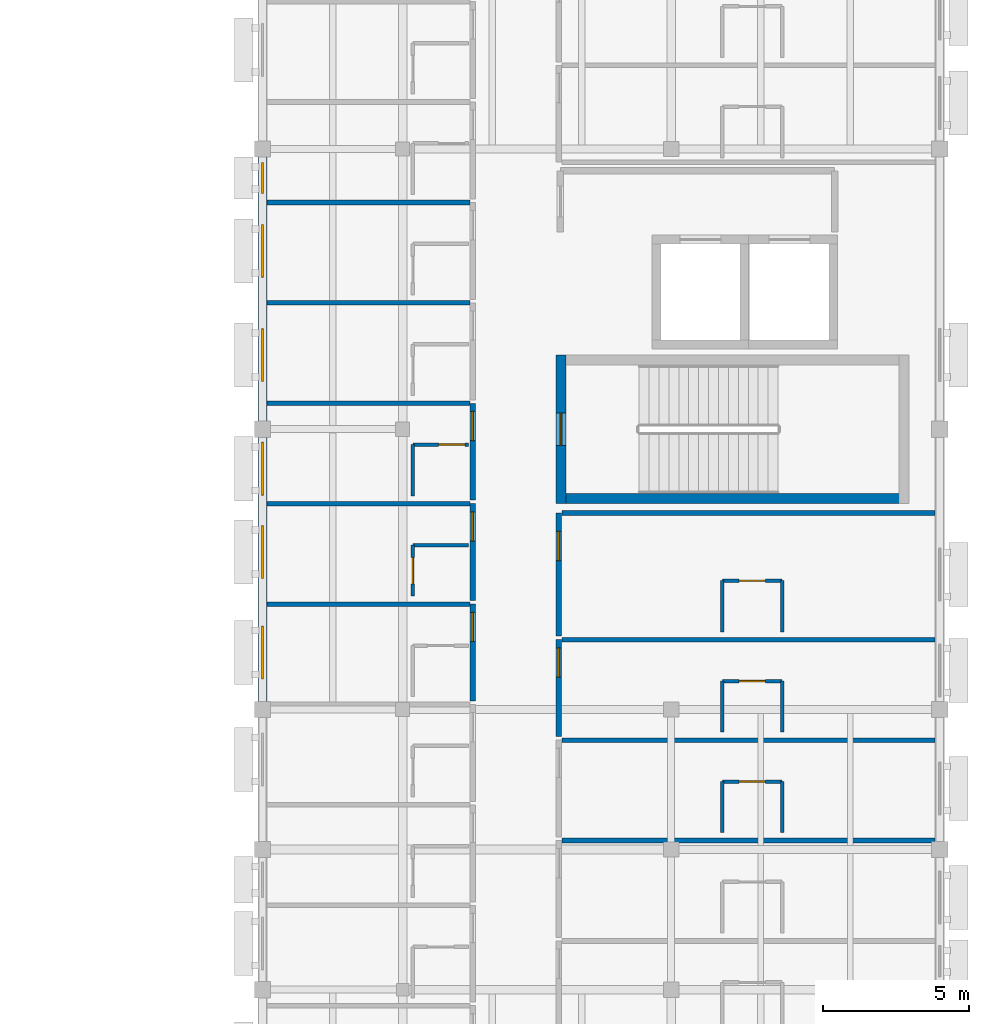
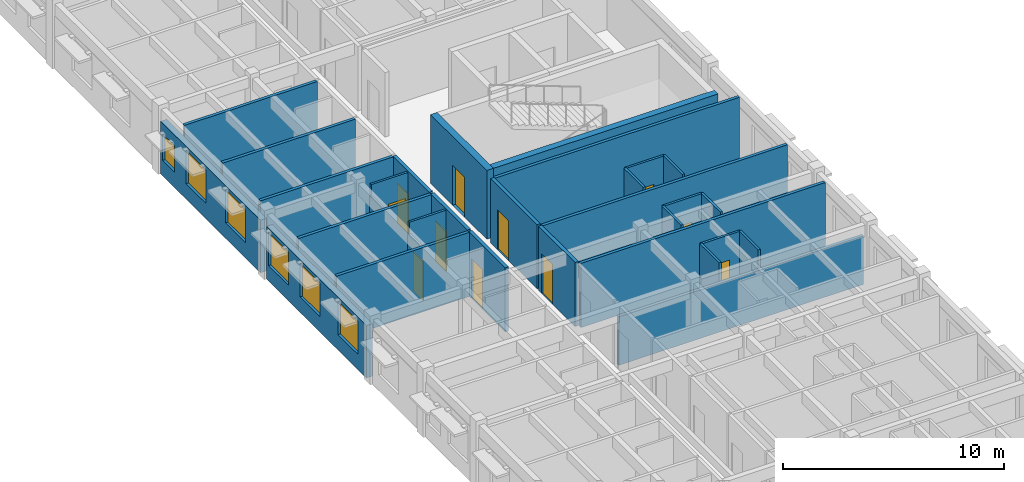
# One storey, part 12 of 31: 31 walls, 11 doors, 6 windows, 17 openings.
"""IFC4 building model written with IfcOpenShell, lengths in metres."""

from ifc_helpers import new_model, si_unit, direction, frame, frame_2d, origin, place, context, subcontext, project, spatial, rectangle, extrude, material, layer, layer_set, type_object, element, fill, save


model = new_model("IFC4")

# Units and contexts
model_context = context("Model", 3, precision=1e-05, world=origin(), true_north=direction((0.0, 1.0)))
body_context = subcontext(model_context, "Body", "Model", "MODEL_VIEW")
ifc_project = project(units=[si_unit("LENGTHUNIT", "METRE"), si_unit("AREAUNIT", "SQUARE_METRE"), si_unit("VOLUMEUNIT", "CUBIC_METRE"), si_unit("PLANEANGLEUNIT", "RADIAN"), si_unit("MASSUNIT", "GRAM", prefix="KILO")], contexts=[model_context])

# Site, building, storey
site_placement = place(None, origin())
site = spatial("IfcSite", under=ifc_project, at=site_placement, CompositionType="ELEMENT")
building_placement = place(site_placement, origin())
building = spatial("IfcBuilding", under=site, at=building_placement, Name="Veldera Park Congress Hotel", CompositionType="ELEMENT")
storey_placement = place(building_placement, frame((0.0, 0.0, 20.0)))
storey = spatial("IfcBuildingStorey", under=building, at=storey_placement, Name="L04", CompositionType="ELEMENT", Elevation=20.0)

# Wall, openings, windows
ifc_material_1 = material(Name="Cross-laminated timber CLT V2M1.1", Category="wood")
ifc_layer_1 = layer(ifc_material_1, 0.320068359375)
ifc_layer_set_1 = layer_set([ifc_layer_1], Name="Cross-laminated timber CLT V2M1.1")
wall_type_1 = type_object("IfcWallType", Name="EW-CLT320", PredefinedType="STANDARD", material=ifc_layer_set_1)
wall_1_placement = place(storey_placement, frame((60.800048828125, 0.322021484375, 0.0), z_axis=(0.0, 0.0, 1.0), x_axis=(0.0, -1.0, 0.0)))
wall_1 = element("IfcWall", 1, at=wall_1_placement, inside=storey, type_object=wall_type_1, Name="L04 Exterior Wall EW3-L04-0270", PredefinedType="STANDARD", context=body_context, shape_type="SweptSolid", body=[
    extrude(rectangle(XDim=9.0439453125, YDim=0.320068359375, at=frame_2d((4.52197265625, 0.0))), origin(), (0.0, 0.0, 1.0), 2.905029296875),
])
opening_1_placement = place(wall_1_placement, frame((5.883056640625, 0.0, 0.85009765625)))
opening_1 = element("IfcOpeningElement", 2, at=opening_1_placement, cuts=wall_1, Name="Opening WIN-1800", PredefinedType="OPENING", context=body_context, shape_type="SweptSolid", body=[
    extrude(rectangle(XDim=1.800048828125, YDim=1.85009765625, at=frame_2d((0.89990234375, 0.925048828125))), frame((0.0, 0.172119140625, 0.0), z_axis=(0.0, -1.0, 0.0), x_axis=(1.0, 0.0, 0.0)), (0.0, 0.0, 1.0), 0.343994140625),
])
opening_2_placement = place(wall_1_placement, frame((2.31201171875, 0.0, 0.85009765625)))
opening_2 = element("IfcOpeningElement", 3, at=opening_2_placement, cuts=wall_1, Name="Opening WIN-1800", PredefinedType="OPENING", context=body_context, shape_type="SweptSolid", body=[
    extrude(rectangle(XDim=1.800048828125, YDim=1.85009765625, at=frame_2d((0.89990234375, 0.925048828125))), frame((0.0, 0.172119140625, 0.0), z_axis=(0.0, -1.0, 0.0), x_axis=(1.0, 0.0, 0.0)), (0.0, 0.0, 1.0), 0.343994140625),
])
opening_3_placement = place(wall_1_placement, frame((0.19091796875, 0.0, 0.85009765625)))
opening_3 = element("IfcOpeningElement", 4, at=opening_3_placement, cuts=wall_1, Name="Opening WIN-1050", PredefinedType="OPENING", context=body_context, shape_type="SweptSolid", body=[
    extrude(rectangle(XDim=1.050048828125, YDim=1.449951171875, at=frame_2d((0.52490234375, 0.72509765625))), frame((0.0, 0.172119140625, 0.0), z_axis=(0.0, -1.0, 0.0), x_axis=(1.0, 0.0, 0.0)), (0.0, 0.0, 1.0), 0.343994140625),
])
ifc_material_2 = material(Name="Low-E Triple Insulating Glass Unit (SHGC 0.22)", Category="glass")
window_type_1 = type_object("IfcWindowType", Name="WIN-1050", PartitioningType="SINGLE_PANEL", PredefinedType="WINDOW", material=ifc_material_2)
window_1_placement = place(opening_3_placement, origin())
window_1 = element("IfcWindow", 5, at=window_1_placement, inside=storey, type_object=window_type_1, Name="L04 Window WIN-1050 449", OverallHeight=1.449951171875, OverallWidth=1.050048828125, PartitioningType="SINGLE_PANEL", PredefinedType="WINDOW", context=body_context, shape_type="SweptSolid", body=[
    extrude(rectangle(XDim=1.050048828125, YDim=1.449951171875, at=frame_2d((0.52490234375, 0.72509765625))), frame((0.0, 0.030029296875, 0.0), z_axis=(0.0, -1.0, 0.0), x_axis=(1.0, 0.0, 0.0)), (0.0, 0.0, 1.0), 0.06005859375),
])
fill(opening_3, window_1)
window_type_2 = type_object("IfcWindowType", Name="WIN-1800", PartitioningType="SINGLE_PANEL", PredefinedType="WINDOW", material=ifc_material_2)
window_2_placement = place(opening_1_placement, origin())
window_2 = element("IfcWindow", 6, at=window_2_placement, inside=storey, type_object=window_type_2, Name="L04 Window WIN-1800 217", OverallHeight=1.85009765625, OverallWidth=1.800048828125, PartitioningType="SINGLE_PANEL", PredefinedType="WINDOW", context=body_context, shape_type="SweptSolid", body=[
    extrude(rectangle(XDim=1.800048828125, YDim=1.85009765625, at=frame_2d((0.89990234375, 0.925048828125))), frame((0.0, 0.030029296875, 0.0), z_axis=(0.0, -1.0, 0.0), x_axis=(1.0, 0.0, 0.0)), (0.0, 0.0, 1.0), 0.06005859375),
])
fill(opening_1, window_2)
window_3_placement = place(opening_2_placement, origin())
window_3 = element("IfcWindow", 7, at=window_3_placement, inside=storey, type_object=window_type_2, Name="L04 Window WIN-1800 448", OverallHeight=1.85009765625, OverallWidth=1.800048828125, PartitioningType="SINGLE_PANEL", PredefinedType="WINDOW", context=body_context, shape_type="SweptSolid", body=[
    extrude(rectangle(XDim=1.800048828125, YDim=1.85009765625, at=frame_2d((0.89990234375, 0.925048828125))), frame((0.0, 0.030029296875, 0.0), z_axis=(0.0, -1.0, 0.0), x_axis=(1.0, 0.0, 0.0)), (0.0, 0.0, 1.0), 0.06005859375),
])
fill(opening_2, window_3)

wall_2_placement = place(storey_placement, frame((60.800048828125, -9.278076171875, 0.0), z_axis=(0.0, 0.0, 1.0), x_axis=(0.0, -1.0, 0.0)))
wall_2 = element("IfcWall", 8, at=wall_2_placement, inside=storey, type_object=wall_type_1, Name="L04 Exterior Wall EW3-L04-0271", PredefinedType="STANDARD", context=body_context, shape_type="SweptSolid", body=[
    extrude(rectangle(XDim=9.0439453125, YDim=0.320068359375, at=frame_2d((4.52197265625, 0.0))), origin(), (0.0, 0.0, 1.0), 2.905029296875),
])
opening_4_placement = place(wall_2_placement, frame((6.471923828125, 0.0, 0.85009765625)))
opening_4 = element("IfcOpeningElement", 9, at=opening_4_placement, cuts=wall_2, Name="Opening WIN-1800", PredefinedType="OPENING", context=body_context, shape_type="SweptSolid", body=[
    extrude(rectangle(XDim=1.800048828125, YDim=1.85009765625, at=frame_2d((0.89990234375, 0.925048828125))), frame((0.0, 0.172119140625, 0.0), z_axis=(0.0, -1.0, 0.0), x_axis=(1.0, 0.0, 0.0)), (0.0, 0.0, 1.0), 0.343994140625),
])
opening_5_placement = place(wall_2_placement, frame((3.031982421875, 0.0, 0.85009765625)))
opening_5 = element("IfcOpeningElement", 10, at=opening_5_placement, cuts=wall_2, Name="Opening WIN-1800", PredefinedType="OPENING", context=body_context, shape_type="SweptSolid", body=[
    extrude(rectangle(XDim=1.800048828125, YDim=1.85009765625, at=frame_2d((0.89990234375, 0.925048828125))), frame((0.0, 0.172119140625, 0.0), z_axis=(0.0, -1.0, 0.0), x_axis=(1.0, 0.0, 0.0)), (0.0, 0.0, 1.0), 0.343994140625),
])
opening_6_placement = place(wall_2_placement, frame((0.176025390625, 0.0, 0.85009765625)))
opening_6 = element("IfcOpeningElement", 11, at=opening_6_placement, cuts=wall_2, Name="Opening WIN-1800", PredefinedType="OPENING", context=body_context, shape_type="SweptSolid", body=[
    extrude(rectangle(XDim=1.800048828125, YDim=1.85009765625, at=frame_2d((0.89990234375, 0.925048828125))), frame((0.0, 0.172119140625, 0.0), z_axis=(0.0, -1.0, 0.0), x_axis=(1.0, 0.0, 0.0)), (0.0, 0.0, 1.0), 0.343994140625),
])
window_4_placement = place(opening_4_placement, origin())
window_4 = element("IfcWindow", 12, at=window_4_placement, inside=storey, type_object=window_type_2, Name="L04 Window WIN-1800 445", OverallHeight=1.85009765625, OverallWidth=1.800048828125, PartitioningType="SINGLE_PANEL", PredefinedType="WINDOW", context=body_context, shape_type="SweptSolid", body=[
    extrude(rectangle(XDim=1.800048828125, YDim=1.85009765625, at=frame_2d((0.89990234375, 0.925048828125))), frame((0.0, 0.030029296875, 0.0), z_axis=(0.0, -1.0, 0.0), x_axis=(1.0, 0.0, 0.0)), (0.0, 0.0, 1.0), 0.06005859375),
])
fill(opening_4, window_4)
window_5_placement = place(opening_5_placement, origin())
window_5 = element("IfcWindow", 13, at=window_5_placement, inside=storey, type_object=window_type_2, Name="L04 Window WIN-1800 446", OverallHeight=1.85009765625, OverallWidth=1.800048828125, PartitioningType="SINGLE_PANEL", PredefinedType="WINDOW", context=body_context, shape_type="SweptSolid", body=[
    extrude(rectangle(XDim=1.800048828125, YDim=1.85009765625, at=frame_2d((0.89990234375, 0.925048828125))), frame((0.0, 0.030029296875, 0.0), z_axis=(0.0, -1.0, 0.0), x_axis=(1.0, 0.0, 0.0)), (0.0, 0.0, 1.0), 0.06005859375),
])
fill(opening_5, window_5)
window_6_placement = place(opening_6_placement, origin())
window_6 = element("IfcWindow", 14, at=window_6_placement, inside=storey, type_object=window_type_2, Name="L04 Window WIN-1800 447", OverallHeight=1.85009765625, OverallWidth=1.800048828125, PartitioningType="SINGLE_PANEL", PredefinedType="WINDOW", context=body_context, shape_type="SweptSolid", body=[
    extrude(rectangle(XDim=1.800048828125, YDim=1.85009765625, at=frame_2d((0.89990234375, 0.925048828125))), frame((0.0, 0.030029296875, 0.0), z_axis=(0.0, -1.0, 0.0), x_axis=(1.0, 0.0, 0.0)), (0.0, 0.0, 1.0), 0.06005859375),
])
fill(opening_6, window_6)

# Wall, opening, door
ifc_material_3 = material(Name="Fire-Rated Gypsum Board on Cold-Formed Steel Studs", Category="steel")
ifc_layer_2 = layer(ifc_material_3, 0.1201171875)
ifc_layer_set_2 = layer_set([ifc_layer_2], Name="Fire-Rated Gypsum Board on Cold-Formed Steel Studs")
wall_type_2 = type_object("IfcWallType", Name="IW-BATH120", PredefinedType="PARTITIONING", material=ifc_layer_set_2)
wall_3_placement = place(storey_placement, frame((65.949951171875, -14.719970703125, 0.0), z_axis=(0.0, 0.0, 1.0), x_axis=(0.0, 1.0, 0.0)))
wall_3 = element("IfcWall", 15, at=wall_3_placement, inside=storey, type_object=wall_type_2, Name="L04 Partition Wall IW3-L04-00833", PredefinedType="PARTITIONING", context=body_context, shape_type="SweptSolid", body=[
    extrude(rectangle(XDim=1.75, YDim=0.1201171875, at=frame_2d((0.875, 0.0))), origin(), (0.0, 0.0, 1.0), 2.905029296875),
])
opening_7_placement = place(wall_3_placement, frame((0.425048828125, 0.0, 0.0)))
opening_7 = element("IfcOpeningElement", 16, at=opening_7_placement, cuts=wall_3, Name="Opening ID-BATH090", PredefinedType="OPENING", context=body_context, shape_type="SweptSolid", body=[
    extrude(rectangle(XDim=0.89990234375, YDim=2.14990234375, at=frame_2d((0.449951171875, 1.074951171875))), frame((0.0, 0.072021484375, 0.0), z_axis=(0.0, -1.0, 0.0), x_axis=(1.0, 0.0, 0.0)), (0.0, 0.0, 1.0), 0.14404296875),
])
ifc_material_4 = material(Name="Solid Core White Oak Architectural Door", Category="wood")
door_type_1 = type_object("IfcDoorType", Name="ID-BATH090", OperationType="NOTDEFINED", PredefinedType="DOOR", material=ifc_material_4)
door_1_placement = place(opening_7_placement, origin())
door_1 = element("IfcDoor", 17, at=door_1_placement, inside=storey, type_object=door_type_1, Name="L04 En-suite 102 Door ID3-L04-0343 (DR3-ID3-L04-0343)", OperationType="SINGLE_SWING_LEFT", OverallHeight=2.14990234375, OverallWidth=0.89990234375, PredefinedType="DOOR", context=body_context, shape_type="SweptSolid", body=[
    extrude(rectangle(XDim=0.89990234375, YDim=2.14990234375, at=frame_2d((0.449951171875, 1.074951171875))), frame((0.0, 0.02490234375, 0.0), z_axis=(0.0, -1.0, 0.0), x_axis=(1.0, 0.0, 0.0)), (0.0, 0.0, 1.0), 0.050048828125),
])
fill(opening_7, door_1)

# Walls
wall_4_placement = place(storey_placement, frame((65.949951171875, -12.969970703125, 0.0), z_axis=(0.0, 0.0, 1.0), x_axis=(1.0, 0.0, 0.0)))
element("IfcWall", 18, at=wall_4_placement, inside=storey, type_object=wall_type_2, Name="L04 Partition Wall IW3-L04-00834", PredefinedType="PARTITIONING", context=body_context, shape_type="SweptSolid", body=[
    extrude(rectangle(XDim=1.900146484375, YDim=0.1201171875, at=frame_2d((0.9501953125, 0.0))), origin(), (0.0, 0.0, 1.0), 3.550048828125),
])
wall_5_placement = place(storey_placement, frame((65.949951171875, -11.280029296875, 0.0), z_axis=(0.0, 0.0, 1.0), x_axis=(0.0, 1.0, 0.0)))
element("IfcWall", 19, at=wall_5_placement, inside=storey, type_object=wall_type_2, Name="L04 Partition Wall IW3-L04-00837", PredefinedType="PARTITIONING", context=body_context, shape_type="SweptSolid", body=[
    extrude(rectangle(XDim=1.75, YDim=0.1201171875, at=frame_2d((0.875, 0.0))), origin(), (0.0, 0.0, 1.0), 2.905029296875),
])

# Wall, opening, door
wall_6_placement = place(storey_placement, frame((65.949951171875, -9.530029296875, 0.0), z_axis=(0.0, 0.0, 1.0), x_axis=(1.0, 0.0, 0.0)))
wall_6 = element("IfcWall", 20, at=wall_6_placement, inside=storey, type_object=wall_type_2, Name="L04 Partition Wall IW3-L04-00838", PredefinedType="PARTITIONING", context=body_context, shape_type="SweptSolid", body=[
    extrude(rectangle(XDim=1.900146484375, YDim=0.1201171875, at=frame_2d((0.9501953125, 0.0))), origin(), (0.0, 0.0, 1.0), 3.550048828125),
])
opening_8_placement = place(wall_6_placement, frame((0.8798828125, 0.0, 0.0)))
opening_8 = element("IfcOpeningElement", 21, at=opening_8_placement, cuts=wall_6, Name="Opening ID-BATH090", PredefinedType="OPENING", context=body_context, shape_type="SweptSolid", body=[
    extrude(rectangle(XDim=0.89990234375, YDim=2.14990234375, at=frame_2d((0.449951171875, 1.074951171875))), frame((0.0, 0.072021484375, 0.0), z_axis=(0.0, -1.0, 0.0), x_axis=(1.0, 0.0, 0.0)), (0.0, 0.0, 1.0), 0.14404296875),
])
door_2_placement = place(opening_8_placement, origin())
door_2 = element("IfcDoor", 22, at=door_2_placement, inside=storey, type_object=door_type_1, Name="L04 En-suite 103 Door ID3-L04-0345 (DR3-ID3-L04-0345)", OperationType="SINGLE_SWING_LEFT", OverallHeight=2.14990234375, OverallWidth=0.89990234375, PredefinedType="DOOR", context=body_context, shape_type="SweptSolid", body=[
    extrude(rectangle(XDim=0.89990234375, YDim=2.14990234375, at=frame_2d((0.449951171875, 1.074951171875))), frame((0.0, 0.02490234375, 0.0), z_axis=(0.0, -1.0, 0.0), x_axis=(1.0, 0.0, 0.0)), (0.0, 0.0, 1.0), 0.050048828125),
])
fill(opening_8, door_2)

# Walls
for number, where, z_axis, x_axis, name in (
    (23, (76.550048828125, -22.820068359375, 0.0), (0.0, 0.0, 1.0), (0.0, 1.0, 0.0), "L04 Partition Wall IW3-L04-00917"),
    (24, (78.60009765625, -22.820068359375, 0.0), (0.0, 0.0, 1.0), (0.0, 1.0, 0.0), "L04 Partition Wall IW3-L04-00918"),
):
    element("IfcWall", number, at=place(storey_placement, frame(where, z_axis=z_axis, x_axis=x_axis)), inside=storey, type_object=wall_type_2, Name=name, PredefinedType="PARTITIONING", context=body_context, shape_type="SweptSolid", body=[
        extrude(rectangle(XDim=1.75, YDim=0.1201171875, at=frame_2d((0.875, 0.0))), origin(), (0.0, 0.0, 1.0), 3.550048828125),
    ])

# Wall, opening, door
wall_7_placement = place(storey_placement, frame((76.550048828125, -21.070068359375, 0.0), z_axis=(0.0, 0.0, 1.0), x_axis=(1.0, 0.0, 0.0)))
wall_7 = element("IfcWall", 25, at=wall_7_placement, inside=storey, type_object=wall_type_2, Name="L04 Partition Wall IW3-L04-00919", PredefinedType="PARTITIONING", context=body_context, shape_type="SweptSolid", body=[
    extrude(rectangle(XDim=2.050048828125, YDim=0.1201171875, at=frame_2d((1.02490234375, 0.0))), origin(), (0.0, 0.0, 1.0), 3.550048828125),
])
opening_9_placement = place(wall_7_placement, frame((0.574951171875, 0.0, 0.0)))
opening_9 = element("IfcOpeningElement", 26, at=opening_9_placement, cuts=wall_7, Name="Opening ID-BATH090", PredefinedType="OPENING", context=body_context, shape_type="SweptSolid", body=[
    extrude(rectangle(XDim=0.89990234375, YDim=2.14990234375, at=frame_2d((0.449951171875, 1.074951171875))), frame((0.0, 0.072021484375, 0.0), z_axis=(0.0, -1.0, 0.0), x_axis=(1.0, 0.0, 0.0)), (0.0, 0.0, 1.0), 0.14404296875),
])
door_3_placement = place(opening_9_placement, origin())
door_3 = element("IfcDoor", 27, at=door_3_placement, inside=storey, type_object=door_type_1, Name="L04 En-suite 121 Door ID3-L04-0381 (DR3-ID3-L04-0381)", OperationType="SINGLE_SWING_LEFT", OverallHeight=2.14990234375, OverallWidth=0.89990234375, PredefinedType="DOOR", context=body_context, shape_type="SweptSolid", body=[
    extrude(rectangle(XDim=0.89990234375, YDim=2.14990234375, at=frame_2d((0.449951171875, 1.074951171875))), frame((0.0, 0.02490234375, 0.0), z_axis=(0.0, -1.0, 0.0), x_axis=(1.0, 0.0, 0.0)), (0.0, 0.0, 1.0), 0.050048828125),
])
fill(opening_9, door_3)

# Walls
for number, where, z_axis, x_axis, name in (
    (28, (76.550048828125, -19.3798828125, 0.0), (0.0, 0.0, 1.0), (0.0, 1.0, 0.0), "L04 Partition Wall IW3-L04-00922"),
    (29, (78.60009765625, -19.3798828125, 0.0), (0.0, 0.0, 1.0), (0.0, 1.0, 0.0), "L04 Partition Wall IW3-L04-00923"),
):
    element("IfcWall", number, at=place(storey_placement, frame(where, z_axis=z_axis, x_axis=x_axis)), inside=storey, type_object=wall_type_2, Name=name, PredefinedType="PARTITIONING", context=body_context, shape_type="SweptSolid", body=[
        extrude(rectangle(XDim=1.75, YDim=0.1201171875, at=frame_2d((0.875, 0.0))), origin(), (0.0, 0.0, 1.0), 3.550048828125),
    ])

# Wall, opening, door
wall_8_placement = place(storey_placement, frame((76.550048828125, -17.6298828125, 0.0), z_axis=(0.0, 0.0, 1.0), x_axis=(1.0, 0.0, 0.0)))
wall_8 = element("IfcWall", 30, at=wall_8_placement, inside=storey, type_object=wall_type_2, Name="L04 Partition Wall IW3-L04-00924", PredefinedType="PARTITIONING", context=body_context, shape_type="SweptSolid", body=[
    extrude(rectangle(XDim=2.050048828125, YDim=0.1201171875, at=frame_2d((1.02490234375, 0.0))), origin(), (0.0, 0.0, 1.0), 3.550048828125),
])
opening_10_placement = place(wall_8_placement, frame((0.574951171875, 0.0, 0.0)))
opening_10 = element("IfcOpeningElement", 31, at=opening_10_placement, cuts=wall_8, Name="Opening ID-BATH090", PredefinedType="OPENING", context=body_context, shape_type="SweptSolid", body=[
    extrude(rectangle(XDim=0.89990234375, YDim=2.14990234375, at=frame_2d((0.449951171875, 1.074951171875))), frame((0.0, 0.072021484375, 0.0), z_axis=(0.0, -1.0, 0.0), x_axis=(1.0, 0.0, 0.0)), (0.0, 0.0, 1.0), 0.14404296875),
])
door_4_placement = place(opening_10_placement, origin())
door_4 = element("IfcDoor", 32, at=door_4_placement, inside=storey, type_object=door_type_1, Name="L04 En-suite 122 Door ID3-L04-0383 (DR3-ID3-L04-0383)", OperationType="SINGLE_SWING_LEFT", OverallHeight=2.14990234375, OverallWidth=0.89990234375, PredefinedType="DOOR", context=body_context, shape_type="SweptSolid", body=[
    extrude(rectangle(XDim=0.89990234375, YDim=2.14990234375, at=frame_2d((0.449951171875, 1.074951171875))), frame((0.0, 0.02490234375, 0.0), z_axis=(0.0, -1.0, 0.0), x_axis=(1.0, 0.0, 0.0)), (0.0, 0.0, 1.0), 0.050048828125),
])
fill(opening_10, door_4)

# Walls
for number, where, z_axis, x_axis, name in (
    (33, (76.550048828125, -15.93994140625, 0.0), (0.0, 0.0, 1.0), (0.0, 1.0, 0.0), "L04 Partition Wall IW3-L04-00927"),
    (34, (78.60009765625, -15.93994140625, 0.0), (0.0, 0.0, 1.0), (0.0, 1.0, 0.0), "L04 Partition Wall IW3-L04-00928"),
):
    element("IfcWall", number, at=place(storey_placement, frame(where, z_axis=z_axis, x_axis=x_axis)), inside=storey, type_object=wall_type_2, Name=name, PredefinedType="PARTITIONING", context=body_context, shape_type="SweptSolid", body=[
        extrude(rectangle(XDim=1.75, YDim=0.1201171875, at=frame_2d((0.875, 0.0))), origin(), (0.0, 0.0, 1.0), 3.550048828125),
    ])

# Wall, opening, door
wall_9_placement = place(storey_placement, frame((76.550048828125, -14.18994140625, 0.0), z_axis=(0.0, 0.0, 1.0), x_axis=(1.0, 0.0, 0.0)))
wall_9 = element("IfcWall", 35, at=wall_9_placement, inside=storey, type_object=wall_type_2, Name="L04 Partition Wall IW3-L04-00929", PredefinedType="PARTITIONING", context=body_context, shape_type="SweptSolid", body=[
    extrude(rectangle(XDim=2.050048828125, YDim=0.1201171875, at=frame_2d((1.02490234375, 0.0))), origin(), (0.0, 0.0, 1.0), 3.550048828125),
])
opening_11_placement = place(wall_9_placement, frame((0.574951171875, 0.0, 0.0)))
opening_11 = element("IfcOpeningElement", 36, at=opening_11_placement, cuts=wall_9, Name="Opening ID-BATH090", PredefinedType="OPENING", context=body_context, shape_type="SweptSolid", body=[
    extrude(rectangle(XDim=0.89990234375, YDim=2.14990234375, at=frame_2d((0.449951171875, 1.074951171875))), frame((0.0, 0.072021484375, 0.0), z_axis=(0.0, -1.0, 0.0), x_axis=(1.0, 0.0, 0.0)), (0.0, 0.0, 1.0), 0.14404296875),
])
door_5_placement = place(opening_11_placement, origin())
door_5 = element("IfcDoor", 37, at=door_5_placement, inside=storey, type_object=door_type_1, Name="L04 En-suite 123 Door ID3-L04-0385 (DR3-ID3-L04-0385)", OperationType="SINGLE_SWING_LEFT", OverallHeight=2.14990234375, OverallWidth=0.89990234375, PredefinedType="DOOR", context=body_context, shape_type="SweptSolid", body=[
    extrude(rectangle(XDim=0.89990234375, YDim=2.14990234375, at=frame_2d((0.449951171875, 1.074951171875))), frame((0.0, 0.02490234375, 0.0), z_axis=(0.0, -1.0, 0.0), x_axis=(1.0, 0.0, 0.0)), (0.0, 0.0, 1.0), 0.050048828125),
])
fill(opening_11, door_5)

ifc_layer_3 = layer(ifc_material_3, 0.179931640625)
ifc_layer_set_3 = layer_set([ifc_layer_3], Name="Fire-Rated Gypsum Board on Cold-Formed Steel Studs")
wall_type_3 = type_object("IfcWallType", Name="IW-CORR180", PredefinedType="PARTITIONING", material=ifc_layer_set_3)
wall_10_placement = place(storey_placement, frame((68.0, -18.31005859375, 0.0), z_axis=(0.0, 0.0, 1.0), x_axis=(0.0, 1.0, 0.0)))
wall_10 = element("IfcWall", 38, at=wall_10_placement, inside=storey, type_object=wall_type_3, Name="L04 Corridor Wall IW3-L04-00827", PredefinedType="PARTITIONING", context=body_context, shape_type="SweptSolid", body=[
    extrude(rectangle(XDim=3.320068359375, YDim=0.179931640625, at=frame_2d((1.66015625, 0.0))), origin(), (0.0, 0.0, 1.0), 3.550048828125),
])
opening_12_placement = place(wall_10_placement, frame((2.0400390625, 0.0, 0.0)))
opening_12 = element("IfcOpeningElement", 39, at=opening_12_placement, cuts=wall_10, Name="Opening ID-UNIT100", PredefinedType="OPENING", context=body_context, shape_type="SweptSolid", body=[
    extrude(rectangle(XDim=1.0, YDim=2.199951171875, at=frame_2d((0.5, 1.10009765625))), frame((0.0, 0.10205078125, 0.0), z_axis=(0.0, -1.0, 0.0), x_axis=(1.0, 0.0, 0.0)), (0.0, 0.0, 1.0), 0.203857421875),
])
door_type_2 = type_object("IfcDoorType", Name="ID-UNIT100", OperationType="NOTDEFINED", PredefinedType="DOOR", material=ifc_material_4)
door_6_placement = place(opening_12_placement, origin())
door_6 = element("IfcDoor", 40, at=door_6_placement, inside=storey, type_object=door_type_2, Name="L04 Guestroom 101 Entry Door (DR3-UD3-L04-101)", OperationType="SINGLE_SWING_RIGHT", OverallHeight=2.199951171875, OverallWidth=1.0, PredefinedType="DOOR", context=body_context, shape_type="SweptSolid", body=[
    extrude(rectangle(XDim=1.0, YDim=2.199951171875, at=frame_2d((0.5, 1.10009765625))), frame((0.0, 0.02490234375, 0.0), z_axis=(0.0, -1.0, 0.0), x_axis=(1.0, 0.0, 0.0)), (0.0, 0.0, 1.0), 0.050048828125),
])
fill(opening_12, door_6)

wall_11_placement = place(storey_placement, frame((68.0, -14.8701171875, 0.0), z_axis=(0.0, 0.0, 1.0), x_axis=(0.0, 1.0, 0.0)))
wall_11 = element("IfcWall", 41, at=wall_11_placement, inside=storey, type_object=wall_type_3, Name="L04 Corridor Wall IW3-L04-00831", PredefinedType="PARTITIONING", context=body_context, shape_type="SweptSolid", body=[
    extrude(rectangle(XDim=3.320068359375, YDim=0.179931640625, at=frame_2d((1.66015625, 0.0))), origin(), (0.0, 0.0, 1.0), 3.550048828125),
])
opening_13_placement = place(wall_11_placement, frame((2.0400390625, 0.0, 0.0)))
opening_13 = element("IfcOpeningElement", 42, at=opening_13_placement, cuts=wall_11, Name="Opening ID-UNIT100", PredefinedType="OPENING", context=body_context, shape_type="SweptSolid", body=[
    extrude(rectangle(XDim=1.0, YDim=2.199951171875, at=frame_2d((0.5, 1.10009765625))), frame((0.0, 0.10205078125, 0.0), z_axis=(0.0, -1.0, 0.0), x_axis=(1.0, 0.0, 0.0)), (0.0, 0.0, 1.0), 0.203857421875),
])
door_7_placement = place(opening_13_placement, origin())
door_7 = element("IfcDoor", 43, at=door_7_placement, inside=storey, type_object=door_type_2, Name="L04 Guestroom 102 Entry Door (DR3-UD3-L04-102)", OperationType="SINGLE_SWING_RIGHT", OverallHeight=2.199951171875, OverallWidth=1.0, PredefinedType="DOOR", context=body_context, shape_type="SweptSolid", body=[
    extrude(rectangle(XDim=1.0, YDim=2.199951171875, at=frame_2d((0.5, 1.10009765625))), frame((0.0, 0.02490234375, 0.0), z_axis=(0.0, -1.0, 0.0), x_axis=(1.0, 0.0, 0.0)), (0.0, 0.0, 1.0), 0.050048828125),
])
fill(opening_13, door_7)

wall_12_placement = place(storey_placement, frame((68.0, -11.429931640625, 0.0), z_axis=(0.0, 0.0, 1.0), x_axis=(0.0, 1.0, 0.0)))
wall_12 = element("IfcWall", 44, at=wall_12_placement, inside=storey, type_object=wall_type_3, Name="L04 Corridor Wall IW3-L04-00835", PredefinedType="PARTITIONING", context=body_context, shape_type="SweptSolid", body=[
    extrude(rectangle(XDim=3.31982421875, YDim=0.179931640625, at=frame_2d((1.659912109375, 0.0))), origin(), (0.0, 0.0, 1.0), 3.550048828125),
])
opening_14_placement = place(wall_12_placement, frame((2.0400390625, 0.0, 0.0)))
opening_14 = element("IfcOpeningElement", 45, at=opening_14_placement, cuts=wall_12, Name="Opening ID-UNIT100", PredefinedType="OPENING", context=body_context, shape_type="SweptSolid", body=[
    extrude(rectangle(XDim=1.0, YDim=2.199951171875, at=frame_2d((0.5, 1.10009765625))), frame((0.0, 0.10205078125, 0.0), z_axis=(0.0, -1.0, 0.0), x_axis=(1.0, 0.0, 0.0)), (0.0, 0.0, 1.0), 0.203857421875),
])
door_8_placement = place(opening_14_placement, origin())
door_8 = element("IfcDoor", 46, at=door_8_placement, inside=storey, type_object=door_type_2, Name="L04 Guestroom 103 Entry Door (DR3-UD3-L04-103)", OperationType="SINGLE_SWING_RIGHT", OverallHeight=2.199951171875, OverallWidth=1.0, PredefinedType="DOOR", context=body_context, shape_type="SweptSolid", body=[
    extrude(rectangle(XDim=1.0, YDim=2.199951171875, at=frame_2d((0.5, 1.10009765625))), frame((0.0, 0.02490234375, 0.0), z_axis=(0.0, -1.0, 0.0), x_axis=(1.0, 0.0, 0.0)), (0.0, 0.0, 1.0), 0.050048828125),
])
fill(opening_14, door_8)

wall_13_placement = place(storey_placement, frame((70.949951171875, -16.2099609375, 0.0), z_axis=(0.0, 0.0, 1.0), x_axis=(0.0, -1.0, 0.0)))
wall_13 = element("IfcWall", 47, at=wall_13_placement, inside=storey, type_object=wall_type_3, Name="L04 Corridor Wall IW3-L04-00920", PredefinedType="PARTITIONING", context=body_context, shape_type="SweptSolid", body=[
    extrude(rectangle(XDim=3.320068359375, YDim=0.179931640625, at=frame_2d((1.66015625, 0.0))), origin(), (0.0, 0.0, 1.0), 3.550048828125),
])
opening_15_placement = place(wall_13_placement, frame((0.280029296875, 0.0, 0.0)))
opening_15 = element("IfcOpeningElement", 48, at=opening_15_placement, cuts=wall_13, Name="Opening ID-UNIT100", PredefinedType="OPENING", context=body_context, shape_type="SweptSolid", body=[
    extrude(rectangle(XDim=1.0, YDim=2.199951171875, at=frame_2d((0.5, 1.10009765625))), frame((0.0, 0.10205078125, 0.0), z_axis=(0.0, -1.0, 0.0), x_axis=(1.0, 0.0, 0.0)), (0.0, 0.0, 1.0), 0.203857421875),
])
door_9_placement = place(opening_15_placement, origin())
door_9 = element("IfcDoor", 49, at=door_9_placement, inside=storey, type_object=door_type_2, Name="L04 Guestroom 122 Entry Door (DR3-UD3-L04-122)", OperationType="SINGLE_SWING_RIGHT", OverallHeight=2.199951171875, OverallWidth=1.0, PredefinedType="DOOR", context=body_context, shape_type="SweptSolid", body=[
    extrude(rectangle(XDim=1.0, YDim=2.199951171875, at=frame_2d((0.5, 1.10009765625))), frame((0.0, 0.02490234375, 0.0), z_axis=(0.0, -1.0, 0.0), x_axis=(1.0, 0.0, 0.0)), (0.0, 0.0, 1.0), 0.050048828125),
])
fill(opening_15, door_9)

wall_14_placement = place(storey_placement, frame((70.949951171875, -11.8701171875, 0.0), z_axis=(0.0, 0.0, 1.0), x_axis=(0.0, -1.0, 0.0)))
wall_14 = element("IfcWall", 50, at=wall_14_placement, inside=storey, type_object=wall_type_3, Name="L04 Corridor Wall IW3-L04-00925", PredefinedType="PARTITIONING", context=body_context, shape_type="SweptSolid", body=[
    extrude(rectangle(XDim=4.219970703125, YDim=0.179931640625, at=frame_2d((2.10986328125, 0.0))), origin(), (0.0, 0.0, 1.0), 3.550048828125),
])
opening_16_placement = place(wall_14_placement, frame((0.6298828125, 0.0, 0.0)))
opening_16 = element("IfcOpeningElement", 51, at=opening_16_placement, cuts=wall_14, Name="Opening ID-UNIT100", PredefinedType="OPENING", context=body_context, shape_type="SweptSolid", body=[
    extrude(rectangle(XDim=1.0, YDim=2.199951171875, at=frame_2d((0.5, 1.10009765625))), frame((0.0, 0.10205078125, 0.0), z_axis=(0.0, -1.0, 0.0), x_axis=(1.0, 0.0, 0.0)), (0.0, 0.0, 1.0), 0.203857421875),
])
door_10_placement = place(opening_16_placement, origin())
door_10 = element("IfcDoor", 52, at=door_10_placement, inside=storey, type_object=door_type_2, Name="L04 Guestroom 123 Entry Door (DR3-UD3-L04-123)", OperationType="SINGLE_SWING_RIGHT", OverallHeight=2.199951171875, OverallWidth=1.0, PredefinedType="DOOR", context=body_context, shape_type="SweptSolid", body=[
    extrude(rectangle(XDim=1.0, YDim=2.199951171875, at=frame_2d((0.5, 1.10009765625))), frame((0.0, 0.02490234375, 0.0), z_axis=(0.0, -1.0, 0.0), x_axis=(1.0, 0.0, 0.0)), (0.0, 0.0, 1.0), 0.050048828125),
])
fill(opening_16, door_10)

# Walls
ifc_layer_4 = layer(ifc_material_1, 0.159912109375)
ifc_layer_set_4 = layer_set([ifc_layer_4], Name="Cross-laminated timber CLT V2M1.1")
wall_type_4 = type_object("IfcWallType", Name="IW-UNIT160", PredefinedType="PARTITIONING", material=ifc_layer_set_4)
for number, where, z_axis, x_axis, name in (
    (53, (60.9599609375, -14.989990234375, 0.0), (0.0, 0.0, 1.0), (1.0, 0.0, 0.0), "L04 Partition Wall IW3-L04-00828"),
    (54, (60.9599609375, -11.550048828125, 0.0), (0.0, 0.0, 1.0), (1.0, 0.0, 0.0), "L04 Partition Wall IW3-L04-00832"),
    (55, (60.9599609375, -8.110107421875, 0.0), (0.0, 0.0, 1.0), (1.0, 0.0, 0.0), "L04 Partition Wall IW3-L04-00836"),
    (56, (60.9599609375, -4.669921875, 0.0), (0.0, 0.0, 1.0), (1.0, 0.0, 0.0), "L04 Partition Wall IW3-L04-00840"),
    (57, (60.9599609375, -1.22998046875, 0.0), (0.0, 0.0, 1.0), (1.0, 0.0, 0.0), "L04 Partition Wall IW3-L04-00844"),
):
    element("IfcWall", number, at=place(storey_placement, frame(where, z_axis=z_axis, x_axis=x_axis)), inside=storey, type_object=wall_type_4, Name=name, PredefinedType="PARTITIONING", context=body_context, shape_type="SweptSolid", body=[
        extrude(rectangle(XDim=6.93994140625, YDim=0.159912109375, at=frame_2d((3.469970703125, 0.0))), origin(), (0.0, 0.0, 1.0), 3.550048828125),
    ])
wall_15_placement = place(storey_placement, frame((71.050048828125, -23.090087890625, 0.0), z_axis=(0.0, 0.0, 1.0), x_axis=(1.0, 0.0, 0.0)))
element("IfcWall", 58, at=wall_15_placement, inside=storey, type_object=wall_type_4, Name="L04 Partition Wall IW3-L04-00911", PredefinedType="PARTITIONING", context=body_context, shape_type="SweptSolid", body=[
    extrude(rectangle(XDim=12.7900390625, YDim=0.159912109375, at=frame_2d((6.39501953125, 0.0))), origin(), (0.0, 0.0, 1.0), 2.68505859375),
])
for number, where, z_axis, x_axis, name in (
    (59, (71.050048828125, -19.64990234375, 0.0), (0.0, 0.0, 1.0), (1.0, 0.0, 0.0), "L04 Partition Wall IW3-L04-00916"),
    (60, (71.050048828125, -16.2099609375, 0.0), (0.0, 0.0, 1.0), (1.0, 0.0, 0.0), "L04 Partition Wall IW3-L04-00921"),
    (61, (71.050048828125, -11.8701171875, 0.0), (0.0, 0.0, 1.0), (1.0, 0.0, 0.0), "L04 Partition Wall IW3-L04-00926"),
):
    element("IfcWall", number, at=place(storey_placement, frame(where, z_axis=z_axis, x_axis=x_axis)), inside=storey, type_object=wall_type_4, Name=name, PredefinedType="PARTITIONING", context=body_context, shape_type="SweptSolid", body=[
        extrude(rectangle(XDim=12.7900390625, YDim=0.159912109375, at=frame_2d((6.39501953125, 0.0))), origin(), (0.0, 0.0, 1.0), 3.550048828125),
    ])
ifc_material_5 = material(Name="Concrete f'c 40 MPa (5,800 psi)", Category="concrete")
ifc_layer_5 = layer(ifc_material_5, 0.35009765625)
ifc_layer_set_5 = layer_set([ifc_layer_5], Name="Concrete f'c 40 MPa (5,800 psi)")
wall_type_5 = type_object("IfcWallType", Name="SW-CORE350", PredefinedType="SHEAR", material=ifc_layer_set_5)
wall_16_placement = place(storey_placement, frame((70.85009765625, -11.375, 0.0), z_axis=(0.0, 0.0, 1.0), x_axis=(1.0, 0.0, 0.0)))
element("IfcWall", 62, at=wall_16_placement, inside=storey, type_object=wall_type_5, Name="Stair ST2 Core Wall L04-S", PredefinedType="SHEAR", context=body_context, shape_type="SweptSolid", body=[
    extrude(rectangle(XDim=12.099853515625, YDim=0.35009765625, at=frame_2d((6.0498046875, 0.0))), origin(), (0.0, 0.0, 1.0), 3.800048828125),
])

# Wall, opening, door
wall_17_placement = place(storey_placement, frame((71.02490234375, -6.449951171875, 0.0), z_axis=(0.0, 0.0, 1.0), x_axis=(0.0, -1.0, 0.0)))
wall_17 = element("IfcWall", 63, at=wall_17_placement, inside=storey, type_object=wall_type_5, Name="Stair ST2 Core Wall L04-W", PredefinedType="SHEAR", context=body_context, shape_type="SweptSolid", body=[
    extrude(rectangle(XDim=5.10009765625, YDim=0.35009765625, at=frame_2d((2.550048828125, 0.0))), origin(), (0.0, 0.0, 1.0), 3.800048828125),
])
opening_17_placement = place(wall_17_placement, frame((2.0, 0.0, 0.0)))
opening_17 = element("IfcOpeningElement", 64, at=opening_17_placement, cuts=wall_17, Name="Opening ID-STAIR110", PredefinedType="OPENING", context=body_context, shape_type="SweptSolid", body=[
    extrude(rectangle(XDim=1.10009765625, YDim=2.199951171875, at=frame_2d((0.550048828125, 1.10009765625))), frame((0.0, 0.18701171875, 0.0), z_axis=(0.0, -1.0, 0.0), x_axis=(1.0, 0.0, 0.0)), (0.0, 0.0, 1.0), 0.3740234375),
])
ifc_material_6 = material(Name="Hollow Metal Fire-Rated Steel Door", Category="steel")
door_type_3 = type_object("IfcDoorType", Name="ID-STAIR110", OperationType="NOTDEFINED", PredefinedType="DOOR", material=ifc_material_6)
door_11_placement = place(opening_17_placement, origin())
door_11 = element("IfcDoor", 65, at=door_11_placement, inside=storey, type_object=door_type_3, Name="L04 Stair ST2 Fire Door (DR3-SD-ST2-L04)", OperationType="SINGLE_SWING_LEFT", OverallHeight=2.199951171875, OverallWidth=1.10009765625, PredefinedType="DOOR", context=body_context, shape_type="SweptSolid", body=[
    extrude(rectangle(XDim=1.10009765625, YDim=2.199951171875, at=frame_2d((0.550048828125, 1.10009765625))), frame((0.0, 0.02490234375, 0.0), z_axis=(0.0, -1.0, 0.0), x_axis=(1.0, 0.0, 0.0)), (0.0, 0.0, 1.0), 0.050048828125),
])
fill(opening_17, door_11)

save(model, "model.ifc")
